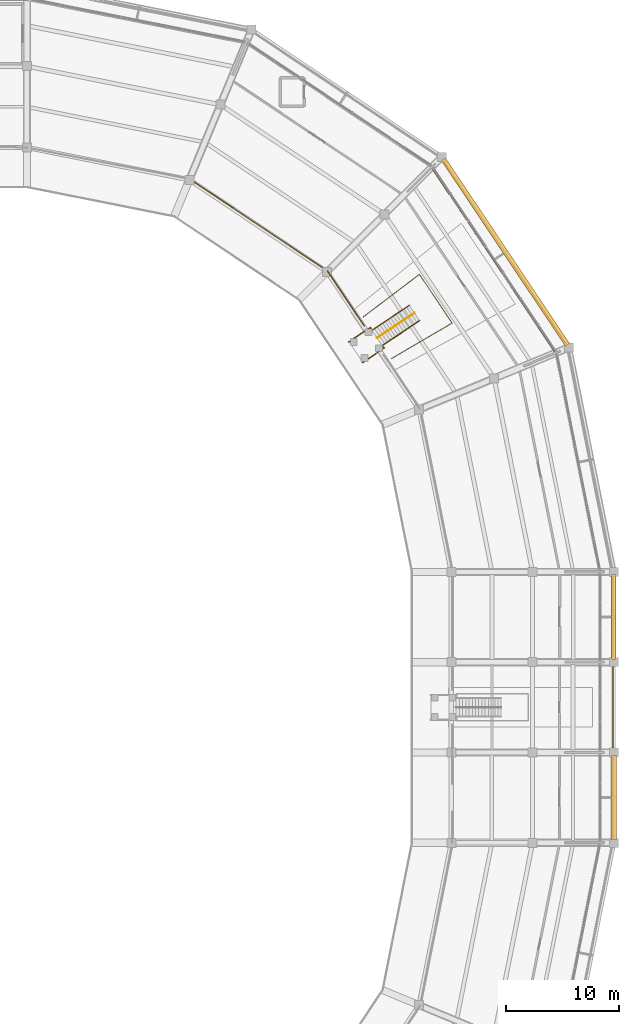
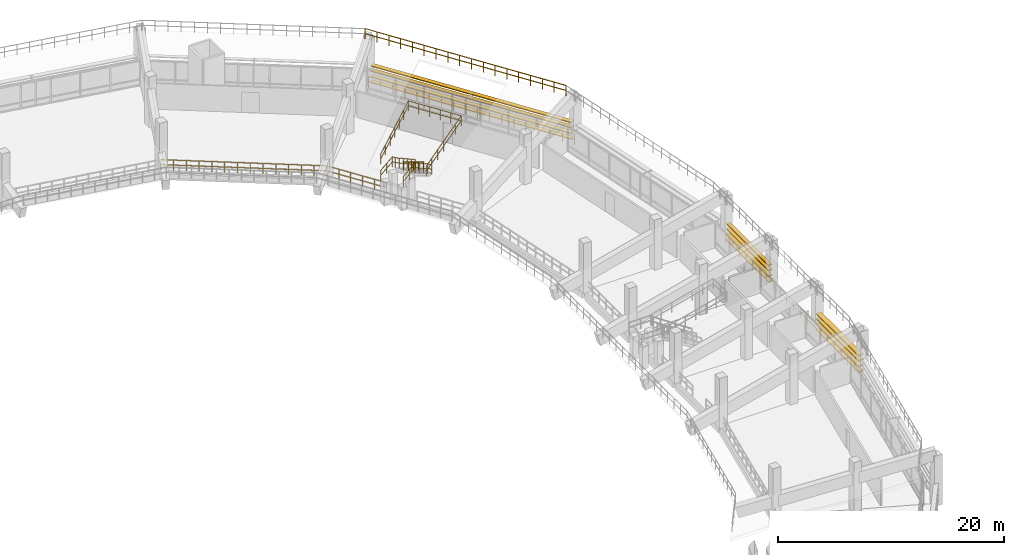
# One storey, part 92 of 96: 12 shading devices, 9 railings.
"""IFC4 building model written with IfcOpenShell, lengths in metres."""

from ifc_helpers import new_model, si_unit, direction, frame, origin, origin_2d, place, context, subcontext, project, spatial, rectangle, circle, extrude, material, layer, layer_set, type_object, element, save


model = new_model("IFC4")

# Units and contexts
model_context = context("Model", 3, precision=1e-05, world=origin(), true_north=direction((0.0, 1.0)))
body_context = subcontext(model_context, "Body", "Model", "MODEL_VIEW")
ifc_project = project(units=[si_unit("LENGTHUNIT", "METRE"), si_unit("AREAUNIT", "SQUARE_METRE"), si_unit("VOLUMEUNIT", "CUBIC_METRE"), si_unit("PLANEANGLEUNIT", "RADIAN"), si_unit("MASSUNIT", "GRAM", prefix="KILO")], contexts=[model_context])

# Site, building, storey
site_placement = place(None, origin())
site = spatial("IfcSite", under=ifc_project, at=site_placement, CompositionType="ELEMENT")
building_placement = place(site_placement, origin())
building = spatial("IfcBuilding", under=site, at=building_placement, Name="Candeia Ridge Stadium", CompositionType="ELEMENT")
storey_placement = place(building_placement, frame((0.0, 0.0, 21.60009765625)))
storey = spatial("IfcBuildingStorey", under=building, at=storey_placement, Name="L04", CompositionType="ELEMENT", Elevation=21.60009765625)

# Railings
ifc_material_1 = material(Name="Galvanized Powder-Coated Steel", Category="steel")
ifc_layer_1 = layer(ifc_material_1, 0.074951171875, Name="Galvanized Powder-Coated Steel", Category="steel")
ifc_layer_set_1 = layer_set([ifc_layer_1], Name="Galvanized Powder-Coated Steel")
railing_type_1 = type_object("IfcRailingType", Name="Spectator Bowl Front Guardrail 1120", PredefinedType="GUARDRAIL", material=ifc_layer_set_1)
railing_1_placement = place(storey_placement, frame((187.822265625, 114.394287109375, 6.0)))
element("IfcRailing", 1, at=railing_1_placement, inside=storey, type_object=railing_type_1, Name="Stand T3 rear safety guardrail bay 34", PredefinedType="GUARDRAIL", context=body_context, shape_type="SweptSolid", body=[
    extrude(circle(Radius=0.02392578125, at=origin_2d()), frame((0.0, 0.0, 1.09619140625), z_axis=(-0.555568879725, 0.831470516544, 0.0), x_axis=(-0.831470516544, -0.555568879725, 0.0)), (0.0, 0.0, 1.0), 19.7744140625),
    extrude(circle(Radius=0.02392578125, at=origin_2d()), frame((0.0, 0.0, 0.56005859375), z_axis=(-0.555568879725, 0.831470516544, 0.0), x_axis=(-0.831470516544, -0.555568879725, 0.0)), (0.0, 0.0, 1.0), 19.7744140625),
    extrude(circle(Radius=0.02099609375, at=origin_2d()), origin(), (0.0, 0.0, 1.0), 1.072021484375),
    extrude(circle(Radius=0.02099609375, at=origin_2d()), frame((-0.646240234375, 0.96728515625, 0.0)), (0.0, 0.0, 1.0), 1.072021484375),
    extrude(circle(Radius=0.02099609375, at=origin_2d()), frame((-1.29248046875, 1.934326171875, 0.0)), (0.0, 0.0, 1.0), 1.072021484375),
    extrude(circle(Radius=0.02099609375, at=origin_2d()), frame((-1.938720703125, 2.901611328125, 0.0)), (0.0, 0.0, 1.0), 1.072021484375),
    extrude(circle(Radius=0.02099609375, at=origin_2d()), frame((-2.5849609375, 3.86865234375, 0.0)), (0.0, 0.0, 1.0), 1.072021484375),
    extrude(circle(Radius=0.02099609375, at=origin_2d()), frame((-3.231201171875, 4.8359375, 0.0)), (0.0, 0.0, 1.0), 1.072021484375),
    extrude(circle(Radius=0.02099609375, at=origin_2d()), frame((-3.87744140625, 5.802978515625, 0.0)), (0.0, 0.0, 1.0), 1.072021484375),
    extrude(circle(Radius=0.02099609375, at=origin_2d()), frame((-4.523681640625, 6.770263671875, 0.0)), (0.0, 0.0, 1.0), 1.072021484375),
    extrude(circle(Radius=0.02099609375, at=origin_2d()), frame((-5.169921875, 7.7373046875, 0.0)), (0.0, 0.0, 1.0), 1.072021484375),
    extrude(circle(Radius=0.02099609375, at=origin_2d()), frame((-5.816162109375, 8.70458984375, 0.0)), (0.0, 0.0, 1.0), 1.072021484375),
    extrude(circle(Radius=0.02099609375, at=origin_2d()), frame((-6.46240234375, 9.671630859375, 0.0)), (0.0, 0.0, 1.0), 1.072021484375),
    extrude(circle(Radius=0.02099609375, at=origin_2d()), frame((-7.108642578125, 10.638916015625, 0.0)), (0.0, 0.0, 1.0), 1.072021484375),
    extrude(circle(Radius=0.02099609375, at=origin_2d()), frame((-7.7548828125, 11.60595703125, 0.0)), (0.0, 0.0, 1.0), 1.072021484375),
    extrude(circle(Radius=0.02099609375, at=origin_2d()), frame((-8.401123046875, 12.5732421875, 0.0)), (0.0, 0.0, 1.0), 1.072021484375),
    extrude(circle(Radius=0.02099609375, at=origin_2d()), frame((-9.04736328125, 13.540283203125, 0.0)), (0.0, 0.0, 1.0), 1.072021484375),
    extrude(circle(Radius=0.02099609375, at=origin_2d()), frame((-9.693603515625, 14.507568359375, 0.0)), (0.0, 0.0, 1.0), 1.072021484375),
    extrude(circle(Radius=0.02099609375, at=origin_2d()), frame((-10.33984375, 15.474609375, 0.0)), (0.0, 0.0, 1.0), 1.072021484375),
    extrude(circle(Radius=0.02099609375, at=origin_2d()), frame((-10.986083984375, 16.44189453125, 0.0)), (0.0, 0.0, 1.0), 1.072021484375),
])
railing_2_placement = place(storey_placement, frame((177.703125, 131.72509765625, 0.0)))
element("IfcRailing", 2, at=railing_2_placement, inside=storey, type_object=railing_type_1, Name="Deck edge safety guardrail GR-DE-L04-0196", PredefinedType="GUARDRAIL", context=body_context, shape_type="SweptSolid", body=[
    extrude(circle(Radius=0.02392578125, at=origin_2d()), frame((0.0, 0.0, 1.09619140625), z_axis=(0.555809332259, -0.831309801563, 0.0), x_axis=(0.831309801563, 0.555809332259, 0.0)), (0.0, 0.0, 1.0), 20.2587890625),
    extrude(circle(Radius=0.02392578125, at=origin_2d()), frame((0.0, 0.0, 0.56005859375), z_axis=(0.555809332259, -0.831309801563, 0.0), x_axis=(0.831309801563, 0.555809332259, 0.0)), (0.0, 0.0, 1.0), 20.2587890625),
    extrude(circle(Radius=0.02099609375, at=origin_2d()), origin(), (0.0, 0.0, 1.0), 1.072021484375),
    extrude(circle(Radius=0.02099609375, at=origin_2d()), frame((0.662353515625, -0.99072265625, 0.0)), (0.0, 0.0, 1.0), 1.072021484375),
    extrude(circle(Radius=0.02099609375, at=origin_2d()), frame((1.32470703125, -1.9814453125, 0.0)), (0.0, 0.0, 1.0), 1.072021484375),
    extrude(circle(Radius=0.02099609375, at=origin_2d()), frame((1.987060546875, -2.971923828125, 0.0)), (0.0, 0.0, 1.0), 1.072021484375),
    extrude(circle(Radius=0.02099609375, at=origin_2d()), frame((2.6494140625, -3.962646484375, 0.0)), (0.0, 0.0, 1.0), 1.072021484375),
    extrude(circle(Radius=0.02099609375, at=origin_2d()), frame((3.311767578125, -4.953369140625, 0.0)), (0.0, 0.0, 1.0), 1.072021484375),
    extrude(circle(Radius=0.02099609375, at=origin_2d()), frame((3.97412109375, -5.944091796875, 0.0)), (0.0, 0.0, 1.0), 1.072021484375),
    extrude(circle(Radius=0.02099609375, at=origin_2d()), frame((4.636474609375, -6.9345703125, 0.0)), (0.0, 0.0, 1.0), 1.072021484375),
    extrude(circle(Radius=0.02099609375, at=origin_2d()), frame((5.298828125, -7.92529296875, 0.0)), (0.0, 0.0, 1.0), 1.072021484375),
    extrude(circle(Radius=0.02099609375, at=origin_2d()), frame((5.961181640625, -8.916015625, 0.0)), (0.0, 0.0, 1.0), 1.072021484375),
    extrude(circle(Radius=0.02099609375, at=origin_2d()), frame((6.62353515625, -9.90673828125, 0.0)), (0.0, 0.0, 1.0), 1.072021484375),
    extrude(circle(Radius=0.02099609375, at=origin_2d()), frame((7.285888671875, -10.897216796875, 0.0)), (0.0, 0.0, 1.0), 1.072021484375),
    extrude(circle(Radius=0.02099609375, at=origin_2d()), frame((7.9482421875, -11.887939453125, 0.0)), (0.0, 0.0, 1.0), 1.072021484375),
    extrude(circle(Radius=0.02099609375, at=origin_2d()), frame((8.610595703125, -12.878662109375, 0.0)), (0.0, 0.0, 1.0), 1.072021484375),
    extrude(circle(Radius=0.02099609375, at=origin_2d()), frame((9.27294921875, -13.869384765625, 0.0)), (0.0, 0.0, 1.0), 1.072021484375),
    extrude(circle(Radius=0.02099609375, at=origin_2d()), frame((9.935302734375, -14.85986328125, 0.0)), (0.0, 0.0, 1.0), 1.072021484375),
    extrude(circle(Radius=0.02099609375, at=origin_2d()), frame((10.59765625, -15.8505859375, 0.0)), (0.0, 0.0, 1.0), 1.072021484375),
    extrude(circle(Radius=0.02099609375, at=origin_2d()), frame((11.260009765625, -16.84130859375, 0.0)), (0.0, 0.0, 1.0), 1.072021484375),
])
railing_3_placement = place(storey_placement, frame((192.919921875, 95.0, 0.0)))
element("IfcRailing", 3, at=railing_3_placement, inside=storey, type_object=railing_type_1, Name="Deck edge safety guardrail GR-DE-L04-0198", PredefinedType="GUARDRAIL", context=body_context, shape_type="SweptSolid", body=[
    extrude(circle(Radius=0.02392578125, at=origin_2d()), frame((0.0, 0.0, 1.09619140625), z_axis=(6.1074918e-05, -0.999999998135, 0.0), x_axis=(0.999999998135, 6.1074918e-05, 0.0)), (0.0, 0.0, 1.0), 23.984375),
    extrude(circle(Radius=0.02392578125, at=origin_2d()), frame((0.0, 0.0, 0.56005859375), z_axis=(6.1074918e-05, -0.999999998135, 0.0), x_axis=(0.999999998135, 6.1074918e-05, 0.0)), (0.0, 0.0, 1.0), 23.984375),
    extrude(circle(Radius=0.02099609375, at=origin_2d()), origin(), (0.0, 0.0, 1.0), 1.072021484375),
    extrude(circle(Radius=0.02099609375, at=origin_2d()), frame((0.0, -1.19921875, 0.0)), (0.0, 0.0, 1.0), 1.072021484375),
    extrude(circle(Radius=0.02099609375, at=origin_2d()), frame((0.000244140625, -2.3984375, 0.0)), (0.0, 0.0, 1.0), 1.072021484375),
    extrude(circle(Radius=0.02099609375, at=origin_2d()), frame((0.000244140625, -3.59765625, 0.0)), (0.0, 0.0, 1.0), 1.072021484375),
    extrude(circle(Radius=0.02099609375, at=origin_2d()), frame((0.000244140625, -4.796875, 0.0)), (0.0, 0.0, 1.0), 1.072021484375),
    extrude(circle(Radius=0.02099609375, at=origin_2d()), frame((0.00048828125, -5.99609375, 0.0)), (0.0, 0.0, 1.0), 1.072021484375),
    extrude(circle(Radius=0.02099609375, at=origin_2d()), frame((0.00048828125, -7.1953125, 0.0)), (0.0, 0.0, 1.0), 1.072021484375),
    extrude(circle(Radius=0.02099609375, at=origin_2d()), frame((0.00048828125, -8.39453125, 0.0)), (0.0, 0.0, 1.0), 1.072021484375),
    extrude(circle(Radius=0.02099609375, at=origin_2d()), frame((0.00048828125, -9.59375, 0.0)), (0.0, 0.0, 1.0), 1.072021484375),
    extrude(circle(Radius=0.02099609375, at=origin_2d()), frame((0.000732421875, -10.79296875, 0.0)), (0.0, 0.0, 1.0), 1.072021484375),
    extrude(circle(Radius=0.02099609375, at=origin_2d()), frame((0.000732421875, -11.9921875, 0.0)), (0.0, 0.0, 1.0), 1.072021484375),
    extrude(circle(Radius=0.02099609375, at=origin_2d()), frame((0.000732421875, -13.19140625, 0.0)), (0.0, 0.0, 1.0), 1.072021484375),
    extrude(circle(Radius=0.02099609375, at=origin_2d()), frame((0.0009765625, -14.390625, 0.0)), (0.0, 0.0, 1.0), 1.072021484375),
    extrude(circle(Radius=0.02099609375, at=origin_2d()), frame((0.0009765625, -15.58984375, 0.0)), (0.0, 0.0, 1.0), 1.072021484375),
    extrude(circle(Radius=0.02099609375, at=origin_2d()), frame((0.0009765625, -16.7890625, 0.0)), (0.0, 0.0, 1.0), 1.072021484375),
    extrude(circle(Radius=0.02099609375, at=origin_2d()), frame((0.0009765625, -17.98828125, 0.0)), (0.0, 0.0, 1.0), 1.072021484375),
    extrude(circle(Radius=0.02099609375, at=origin_2d()), frame((0.001220703125, -19.1875, 0.0)), (0.0, 0.0, 1.0), 1.072021484375),
    extrude(circle(Radius=0.02099609375, at=origin_2d()), frame((0.001220703125, -20.38671875, 0.0)), (0.0, 0.0, 1.0), 1.072021484375),
    extrude(circle(Radius=0.02099609375, at=origin_2d()), frame((0.001220703125, -21.5859375, 0.0)), (0.0, 0.0, 1.0), 1.072021484375),
    extrude(circle(Radius=0.02099609375, at=origin_2d()), frame((0.00146484375, -22.78515625, 0.0)), (0.0, 0.0, 1.0), 1.072021484375),
    extrude(circle(Radius=0.02099609375, at=origin_2d()), frame((0.00146484375, -23.984375, 0.0)), (0.0, 0.0, 1.0), 1.072021484375),
])
railing_4_placement = place(storey_placement, frame((170.884521484375, 116.79638671875, 0.0)))
element("IfcRailing", 4, at=railing_4_placement, inside=storey, type_object=railing_type_1, Name="Deck edge safety guardrail GR-DE-L04-0226", PredefinedType="GUARDRAIL", context=body_context, shape_type="SweptSolid", body=[
    extrude(circle(Radius=0.02392578125, at=origin_2d()), frame((0.0, 0.0, 1.09619140625), z_axis=(-0.55643370999, 0.830892006452, 0.0), x_axis=(-0.830892006452, -0.55643370999, 0.0)), (0.0, 0.0, 1.0), 5.845947265625),
    extrude(circle(Radius=0.02392578125, at=origin_2d()), frame((0.0, 0.0, 0.56005859375), z_axis=(-0.55643370999, 0.830892006452, 0.0), x_axis=(-0.830892006452, -0.55643370999, 0.0)), (0.0, 0.0, 1.0), 5.845947265625),
    extrude(circle(Radius=0.02099609375, at=origin_2d()), origin(), (0.0, 0.0, 1.0), 1.072021484375),
    extrude(circle(Radius=0.02099609375, at=origin_2d()), frame((-0.650634765625, 0.971435546875, 0.0)), (0.0, 0.0, 1.0), 1.072021484375),
    extrude(circle(Radius=0.02099609375, at=origin_2d()), frame((-1.30126953125, 1.94287109375, 0.0)), (0.0, 0.0, 1.0), 1.072021484375),
    extrude(circle(Radius=0.02099609375, at=origin_2d()), frame((-1.95166015625, 2.91455078125, 0.0)), (0.0, 0.0, 1.0), 1.072021484375),
    extrude(circle(Radius=0.02099609375, at=origin_2d()), frame((-2.602294921875, 3.885986328125, 0.0)), (0.0, 0.0, 1.0), 1.072021484375),
    extrude(circle(Radius=0.02099609375, at=origin_2d()), frame((-3.2529296875, 4.857421875, 0.0)), (0.0, 0.0, 1.0), 1.072021484375),
])
railing_5_placement = place(storey_placement, frame((167.631591796875, 121.65380859375, 0.0)))
element("IfcRailing", 5, at=railing_5_placement, inside=storey, type_object=railing_type_1, Name="Deck edge safety guardrail GR-DE-L04-0227", PredefinedType="GUARDRAIL", context=body_context, shape_type="SweptSolid", body=[
    extrude(circle(Radius=0.02392578125, at=origin_2d()), frame((0.0, 0.0, 1.09619140625), z_axis=(-0.831697552907, 0.55522894421, 0.0), x_axis=(-0.55522894421, -0.831697552907, 0.0)), (0.0, 0.0, 1.0), 14.701416015625),
    extrude(circle(Radius=0.02392578125, at=origin_2d()), frame((0.0, 0.0, 0.56005859375), z_axis=(-0.831697552907, 0.55522894421, 0.0), x_axis=(-0.55522894421, -0.831697552907, 0.0)), (0.0, 0.0, 1.0), 14.701416015625),
    extrude(circle(Radius=0.02099609375, at=origin_2d()), origin(), (0.0, 0.0, 1.0), 1.072021484375),
    extrude(circle(Radius=0.02099609375, at=origin_2d()), frame((-0.9404296875, 0.6279296875, 0.0)), (0.0, 0.0, 1.0), 1.072021484375),
    extrude(circle(Radius=0.02099609375, at=origin_2d()), frame((-1.881103515625, 1.255859375, 0.0)), (0.0, 0.0, 1.0), 1.072021484375),
    extrude(circle(Radius=0.02099609375, at=origin_2d()), frame((-2.821533203125, 1.8837890625, 0.0)), (0.0, 0.0, 1.0), 1.072021484375),
    extrude(circle(Radius=0.02099609375, at=origin_2d()), frame((-3.76220703125, 2.511474609375, 0.0)), (0.0, 0.0, 1.0), 1.072021484375),
    extrude(circle(Radius=0.02099609375, at=origin_2d()), frame((-4.70263671875, 3.139404296875, 0.0)), (0.0, 0.0, 1.0), 1.072021484375),
    extrude(circle(Radius=0.02099609375, at=origin_2d()), frame((-5.643310546875, 3.767333984375, 0.0)), (0.0, 0.0, 1.0), 1.072021484375),
    extrude(circle(Radius=0.02099609375, at=origin_2d()), frame((-6.583740234375, 4.395263671875, 0.0)), (0.0, 0.0, 1.0), 1.072021484375),
    extrude(circle(Radius=0.02099609375, at=origin_2d()), frame((-7.5244140625, 5.023193359375, 0.0)), (0.0, 0.0, 1.0), 1.072021484375),
    extrude(circle(Radius=0.02099609375, at=origin_2d()), frame((-8.46484375, 5.651123046875, 0.0)), (0.0, 0.0, 1.0), 1.072021484375),
    extrude(circle(Radius=0.02099609375, at=origin_2d()), frame((-9.405517578125, 6.27880859375, 0.0)), (0.0, 0.0, 1.0), 1.072021484375),
    extrude(circle(Radius=0.02099609375, at=origin_2d()), frame((-10.345947265625, 6.90673828125, 0.0)), (0.0, 0.0, 1.0), 1.072021484375),
    extrude(circle(Radius=0.02099609375, at=origin_2d()), frame((-11.28662109375, 7.53466796875, 0.0)), (0.0, 0.0, 1.0), 1.072021484375),
    extrude(circle(Radius=0.02099609375, at=origin_2d()), frame((-12.22705078125, 8.16259765625, 0.0)), (0.0, 0.0, 1.0), 1.072021484375),
])
ifc_material_2 = material(Name="Brushed Stainless Steel", Category="steel")
ifc_layer_2 = layer(ifc_material_2, 0.048095703125, Name="Brushed Stainless Steel", Category="steel")
ifc_layer_set_2 = layer_set([ifc_layer_2], Name="Brushed Stainless Steel")
railing_type_2 = type_object("IfcRailingType", Name="Stair Wall & Flight Handrail 900", PredefinedType="HANDRAIL", material=ifc_layer_set_2)
railing_6_placement = place(storey_placement, frame((175.33251953125, 117.940185546875, 0.179443359375)))
element("IfcRailing", 6, at=railing_6_placement, inside=storey, type_object=railing_type_2, Name="Vomitory stair handrail VS36", PredefinedType="HANDRAIL", context=body_context, shape_type="SweptSolid", body=[
    extrude(circle(Radius=0.02392578125, at=origin_2d()), frame((0.0, 0.0, 0.8759765625), z_axis=(-0.703445127651, -0.470033244468, 0.533135725195), x_axis=(0.555575329819, -0.831466206708, 0.0)), (0.0, 0.0, 1.0), 4.71630859375),
    extrude(circle(Radius=0.02099609375, at=origin_2d()), origin(), (0.0, 0.0, 1.0), 0.851806640625),
    extrude(circle(Radius=0.02099609375, at=origin_2d()), frame((-0.829345703125, -0.55419921875, 0.628662109375)), (0.0, 0.0, 1.0), 0.851806640625),
    extrude(circle(Radius=0.02099609375, at=origin_2d()), frame((-1.65869140625, -1.1083984375, 1.25732421875)), (0.0, 0.0, 1.0), 0.851806640625),
    extrude(circle(Radius=0.02099609375, at=origin_2d()), frame((-2.48828125, -1.66259765625, 1.8857421875)), (0.0, 0.0, 1.0), 0.851806640625),
    extrude(circle(Radius=0.02099609375, at=origin_2d()), frame((-3.317626953125, -2.216796875, 2.514404296875)), (0.0, 0.0, 1.0), 0.851806640625),
])
ifc_layer_3 = layer(ifc_material_1, 0.070068359375, Name="Galvanized Powder-Coated Steel", Category="steel")
ifc_layer_set_3 = layer_set([ifc_layer_3], Name="Galvanized Powder-Coated Steel")
railing_type_3 = type_object("IfcRailingType", Name="Vomitory Portal Guardrail 1100", PredefinedType="GUARDRAIL", material=ifc_layer_set_3)
railing_7_placement = place(storey_placement, frame((173.25146484375, 113.872802734375, 2.69384765625)))
element("IfcRailing", 7, at=railing_7_placement, inside=storey, type_object=railing_type_3, Name="Vomitory portal guardrail VS36", PredefinedType="GUARDRAIL", context=body_context, shape_type="SweptSolid", body=[
    extrude(circle(Radius=0.02392578125, at=origin_2d()), frame((0.0, 0.0, 1.076171875), z_axis=(0.834609876077, 0.488345575743, 0.254842997561), x_axis=(-0.505020105464, 0.863107579087, 0.0)), (0.0, 0.0, 1.0), 6.486572265625),
    extrude(circle(Radius=0.02392578125, at=origin_2d()), frame((0.0, 0.0, 0.550048828125), z_axis=(0.834609876077, 0.488345575743, 0.254842997561), x_axis=(-0.505020105464, 0.863107579087, 0.0)), (0.0, 0.0, 1.0), 6.486572265625),
    extrude(circle(Radius=0.02392578125, at=origin_2d()), frame((5.413818359375, 3.167724609375, 2.72900390625), z_axis=(-0.555588439996, 0.831457446502, 0.0), x_axis=(-0.831457446502, -0.555588439996, 0.0)), (0.0, 0.0, 1.0), 5.19921875),
    extrude(circle(Radius=0.02392578125, at=origin_2d()), frame((5.413818359375, 3.167724609375, 2.203125), z_axis=(-0.555588439996, 0.831457446502, 0.0), x_axis=(-0.831457446502, -0.555588439996, 0.0)), (0.0, 0.0, 1.0), 5.19921875),
    extrude(circle(Radius=0.02392578125, at=origin_2d()), frame((2.525146484375, 7.49072265625, 2.72900390625), z_axis=(-0.77057067272, -0.584185386181, -0.25484951033), x_axis=(0.604133432707, -0.796883175557, 0.0)), (0.0, 0.0, 1.0), 6.486572265625),
    extrude(circle(Radius=0.02392578125, at=origin_2d()), frame((2.525146484375, 7.49072265625, 2.203125), z_axis=(-0.77057067272, -0.584185386181, -0.25484951033), x_axis=(0.604133432707, -0.796883175557, 0.0)), (0.0, 0.0, 1.0), 6.486572265625),
    extrude(circle(Radius=0.02099609375, at=origin_2d()), origin(), (0.0, 0.0, 1.0), 1.052001953125),
    extrude(circle(Radius=0.02099609375, at=origin_2d()), frame((0.90234375, 0.52783203125, 0.275390625)), (0.0, 0.0, 1.0), 1.052001953125),
    extrude(circle(Radius=0.02099609375, at=origin_2d()), frame((1.8046875, 1.055908203125, 0.551025390625)), (0.0, 0.0, 1.0), 1.052001953125),
    extrude(circle(Radius=0.02099609375, at=origin_2d()), frame((2.70703125, 1.583984375, 0.82666015625)), (0.0, 0.0, 1.0), 1.052001953125),
    extrude(circle(Radius=0.02099609375, at=origin_2d()), frame((3.609130859375, 2.11181640625, 1.10205078125)), (0.0, 0.0, 1.0), 1.052001953125),
    extrude(circle(Radius=0.02099609375, at=origin_2d()), frame((4.511474609375, 2.6396484375, 1.37744140625)), (0.0, 0.0, 1.0), 1.052001953125),
    extrude(circle(Radius=0.02099609375, at=origin_2d()), frame((5.413818359375, 3.167724609375, 1.653076171875)), (0.0, 0.0, 1.0), 1.052001953125),
    extrude(circle(Radius=0.02099609375, at=origin_2d()), frame((4.836181640625, 4.0322265625, 1.653076171875)), (0.0, 0.0, 1.0), 1.052001953125),
    extrude(circle(Radius=0.02099609375, at=origin_2d()), frame((4.25830078125, 4.89697265625, 1.653076171875)), (0.0, 0.0, 1.0), 1.052001953125),
    extrude(circle(Radius=0.02099609375, at=origin_2d()), frame((3.6806640625, 5.761474609375, 1.653076171875)), (0.0, 0.0, 1.0), 1.052001953125),
    extrude(circle(Radius=0.02099609375, at=origin_2d()), frame((3.102783203125, 6.626220703125, 1.653076171875)), (0.0, 0.0, 1.0), 1.052001953125),
    extrude(circle(Radius=0.02099609375, at=origin_2d()), frame((2.525146484375, 7.49072265625, 1.653076171875)), (0.0, 0.0, 1.0), 1.052001953125),
    extrude(circle(Radius=0.02099609375, at=origin_2d()), frame((1.692138671875, 6.859130859375, 1.37744140625)), (0.0, 0.0, 1.0), 1.052001953125),
    extrude(circle(Radius=0.02099609375, at=origin_2d()), frame((0.859130859375, 6.2275390625, 1.10205078125)), (0.0, 0.0, 1.0), 1.052001953125),
    extrude(circle(Radius=0.02099609375, at=origin_2d()), frame((0.02587890625, 5.59619140625, 0.82666015625)), (0.0, 0.0, 1.0), 1.052001953125),
    extrude(circle(Radius=0.02099609375, at=origin_2d()), frame((-0.80712890625, 4.964599609375, 0.551025390625)), (0.0, 0.0, 1.0), 1.052001953125),
    extrude(circle(Radius=0.02099609375, at=origin_2d()), frame((-1.64013671875, 4.3330078125, 0.275390625)), (0.0, 0.0, 1.0), 1.052001953125),
    extrude(circle(Radius=0.02099609375, at=origin_2d()), frame((-2.47314453125, 3.701416015625, 0.0)), (0.0, 0.0, 1.0), 1.052001953125),
])
railing_8_placement = place(storey_placement, frame((175.7880859375, 117.25830078125, 0.0)))
element("IfcRailing", 8, at=railing_8_placement, inside=storey, type_object=railing_type_3, Name="Vomitory stair & landing side guardrail VS36-L", PredefinedType="GUARDRAIL", context=body_context, shape_type="SweptSolid", body=[
    extrude(circle(Radius=0.02392578125, at=origin_2d()), frame((0.0, 0.0, 1.076171875), z_axis=(-0.689116787819, -0.46045922683, 0.559549241062), x_axis=(0.555575329819, -0.831466206708, 0.0)), (0.0, 0.0, 1.0), 4.814208984375),
    extrude(circle(Radius=0.02392578125, at=origin_2d()), frame((0.0, 0.0, 0.550048828125), z_axis=(-0.689116787819, -0.46045922683, 0.559549241062), x_axis=(0.555575329819, -0.831466206708, 0.0)), (0.0, 0.0, 1.0), 4.814208984375),
    extrude(circle(Radius=0.02392578125, at=origin_2d()), frame((-3.317626953125, -2.216796875, 3.77001953125), z_axis=(0.667627565471, -0.744495422298, 0.0), x_axis=(0.744495422298, 0.667627565471, 0.0)), (0.0, 0.0, 1.0), 0.28271484375),
    extrude(circle(Radius=0.02392578125, at=origin_2d()), frame((-3.317626953125, -2.216796875, 3.243896484375), z_axis=(0.667627565471, -0.744495422298, 0.0), x_axis=(0.744495422298, 0.667627565471, 0.0)), (0.0, 0.0, 1.0), 0.28271484375),
    extrude(circle(Radius=0.02392578125, at=origin_2d()), frame((-3.12890625, -2.42724609375, 3.77001953125), z_axis=(-0.831434582705, -0.55562265494, 0.0), x_axis=(0.55562265494, -0.831434582705, 0.0)), (0.0, 0.0, 1.0), 2.320068359375),
    extrude(circle(Radius=0.02392578125, at=origin_2d()), frame((-3.12890625, -2.42724609375, 3.243896484375), z_axis=(-0.831434582705, -0.55562265494, 0.0), x_axis=(0.55562265494, -0.831434582705, 0.0)), (0.0, 0.0, 1.0), 2.320068359375),
    extrude(circle(Radius=0.02099609375, at=origin_2d()), origin(), (0.0, 0.0, 1.0), 1.052001953125),
    extrude(circle(Radius=0.02099609375, at=origin_2d()), frame((-0.66357421875, -0.443359375, 0.538818359375)), (0.0, 0.0, 1.0), 1.052001953125),
    extrude(circle(Radius=0.02099609375, at=origin_2d()), frame((-1.3271484375, -0.88671875, 1.07763671875)), (0.0, 0.0, 1.0), 1.052001953125),
    extrude(circle(Radius=0.02099609375, at=origin_2d()), frame((-1.990478515625, -1.330078125, 1.6162109375)), (0.0, 0.0, 1.0), 1.052001953125),
    extrude(circle(Radius=0.02099609375, at=origin_2d()), frame((-2.654052734375, -1.7734375, 2.155029296875)), (0.0, 0.0, 1.0), 1.052001953125),
    extrude(circle(Radius=0.02099609375, at=origin_2d()), frame((-3.317626953125, -2.216796875, 2.69384765625)), (0.0, 0.0, 1.0), 1.052001953125),
    extrude(circle(Radius=0.02099609375, at=origin_2d()), frame((-3.12890625, -2.42724609375, 2.69384765625)), (0.0, 0.0, 1.0), 1.052001953125),
    extrude(circle(Radius=0.02099609375, at=origin_2d()), frame((-4.09326171875, -3.07177734375, 2.69384765625)), (0.0, 0.0, 1.0), 1.052001953125),
    extrude(circle(Radius=0.02099609375, at=origin_2d()), frame((-5.057861328125, -3.71630859375, 2.69384765625)), (0.0, 0.0, 1.0), 1.052001953125),
])
railing_9_placement = place(storey_placement, frame((174.876708984375, 118.6220703125, 0.0)))
element("IfcRailing", 9, at=railing_9_placement, inside=storey, type_object=railing_type_3, Name="Vomitory stair & landing side guardrail VS36-R", PredefinedType="GUARDRAIL", context=body_context, shape_type="SweptSolid", body=[
    extrude(circle(Radius=0.02392578125, at=origin_2d()), frame((0.0, 0.0, 1.076171875), z_axis=(-0.689090156968, -0.460475318315, 0.559568795406), x_axis=(0.555603595654, -0.831447319135, 0.0)), (0.0, 0.0, 1.0), 4.814208984375),
    extrude(circle(Radius=0.02392578125, at=origin_2d()), frame((0.0, 0.0, 0.550048828125), z_axis=(-0.689090156968, -0.460475318315, 0.559568795406), x_axis=(0.555603595654, -0.831447319135, 0.0)), (0.0, 0.0, 1.0), 4.814208984375),
    extrude(circle(Radius=0.02392578125, at=origin_2d()), frame((-3.3173828125, -2.216796875, 3.77001953125), z_axis=(-0.432310233057, 0.901724937214, 0.0), x_axis=(-0.901724937214, -0.432310233057, 0.0)), (0.0, 0.0, 1.0), 0.282958984375),
    extrude(circle(Radius=0.02392578125, at=origin_2d()), frame((-3.3173828125, -2.216796875, 3.243896484375), z_axis=(-0.432310233057, 0.901724937214, 0.0), x_axis=(-0.901724937214, -0.432310233057, 0.0)), (0.0, 0.0, 1.0), 0.282958984375),
    extrude(circle(Radius=0.02392578125, at=origin_2d()), frame((-3.439697265625, -1.961669921875, 3.77001953125), z_axis=(-0.831434582705, -0.55562265494, 0.0), x_axis=(0.55562265494, -0.831434582705, 0.0)), (0.0, 0.0, 1.0), 2.320068359375),
    extrude(circle(Radius=0.02392578125, at=origin_2d()), frame((-3.439697265625, -1.961669921875, 3.243896484375), z_axis=(-0.831434582705, -0.55562265494, 0.0), x_axis=(0.55562265494, -0.831434582705, 0.0)), (0.0, 0.0, 1.0), 2.320068359375),
    extrude(circle(Radius=0.02099609375, at=origin_2d()), origin(), (0.0, 0.0, 1.0), 1.052001953125),
    extrude(circle(Radius=0.02099609375, at=origin_2d()), frame((-0.66357421875, -0.443359375, 0.538818359375)), (0.0, 0.0, 1.0), 1.052001953125),
    extrude(circle(Radius=0.02099609375, at=origin_2d()), frame((-1.326904296875, -0.88671875, 1.07763671875)), (0.0, 0.0, 1.0), 1.052001953125),
    extrude(circle(Radius=0.02099609375, at=origin_2d()), frame((-1.990478515625, -1.330078125, 1.6162109375)), (0.0, 0.0, 1.0), 1.052001953125),
    extrude(circle(Radius=0.02099609375, at=origin_2d()), frame((-2.65380859375, -1.7734375, 2.155029296875)), (0.0, 0.0, 1.0), 1.052001953125),
    extrude(circle(Radius=0.02099609375, at=origin_2d()), frame((-3.3173828125, -2.216796875, 2.69384765625)), (0.0, 0.0, 1.0), 1.052001953125),
    extrude(circle(Radius=0.02099609375, at=origin_2d()), frame((-3.439697265625, -1.961669921875, 2.69384765625)), (0.0, 0.0, 1.0), 1.052001953125),
    extrude(circle(Radius=0.02099609375, at=origin_2d()), frame((-4.404296875, -2.606201171875, 2.69384765625)), (0.0, 0.0, 1.0), 1.052001953125),
    extrude(circle(Radius=0.02099609375, at=origin_2d()), frame((-5.36865234375, -3.250732421875, 2.69384765625)), (0.0, 0.0, 1.0), 1.052001953125),
])

# Shading devices
ifc_material_3 = material(Name="Aluminium Anodized Warm Bronze", Category="aluminium")
shading_device_type_1 = type_object("IfcShadingDeviceType", Name="Weathered Bronze Horizontal Solar Rib 380x85", PredefinedType="JALOUSIE", material=ifc_material_3)
for number, where, z_axis, x_axis, name in (
    (10, (193.0, 91.0, 0.5673828125), (0.0, 0.0, 1.0), (0.0, 1.0, 0.0), "Weathered bronze horizontal solar rib L04 bay 32-1"),
    (11, (193.0, 91.0, 1.17724609375), (0.0, 0.0, 1.0), (0.0, 1.0, 0.0), "Weathered bronze horizontal solar rib L04 bay 32-2"),
    (12, (193.0, 91.0, 1.787109375), (0.0, 0.0, 1.0), (0.0, 1.0, 0.0), "Weathered bronze horizontal solar rib L04 bay 32-3"),
    (13, (193.0, 91.0, 2.341552734375), (0.0, 0.0, 1.0), (0.0, 1.0, 0.0), "Weathered bronze horizontal solar rib L04 bay 32-4"),
):
    element("IfcShadingDevice", number, at=place(storey_placement, frame(where, z_axis=z_axis, x_axis=x_axis)), inside=storey, type_object=shading_device_type_1, Name=name, PredefinedType="JALOUSIE", context=body_context, shape_type="SweptSolid", body=[
        extrude(rectangle(XDim=7.5, YDim=0.3798828125, at=origin_2d()), origin(), (0.0, 0.0, 1.0), 0.0849609375),
    ])
shading_device_type_2 = type_object("IfcShadingDeviceType", Name="Weathered Bronze Horizontal Solar Rib 440x95", PredefinedType="JALOUSIE", material=ifc_material_3)
for number, where, z_axis, x_axis, name in (
    (14, (183.40576171875, 123.33447265625, 0.5625), (0.0, 0.0, 1.0), (-0.555570211063, 0.831469626973, 0.0), "Weathered bronze horizontal solar rib L04 bay 34-1"),
    (15, (183.40576171875, 123.33447265625, 1.17236328125), (0.0, 0.0, 1.0), (-0.555570211063, 0.831469626973, 0.0), "Weathered bronze horizontal solar rib L04 bay 34-2"),
    (16, (183.40576171875, 123.33447265625, 1.7822265625), (0.0, 0.0, 1.0), (-0.555570211063, 0.831469626973, 0.0), "Weathered bronze horizontal solar rib L04 bay 34-3"),
    (17, (183.40576171875, 123.33447265625, 2.33642578125), (0.0, 0.0, 1.0), (-0.555570211063, 0.831469626973, 0.0), "Weathered bronze horizontal solar rib L04 bay 34-4"),
):
    element("IfcShadingDevice", number, at=place(storey_placement, frame(where, z_axis=z_axis, x_axis=x_axis)), inside=storey, type_object=shading_device_type_2, Name=name, PredefinedType="JALOUSIE", context=body_context, shape_type="SweptSolid", body=[
        extrude(rectangle(XDim=19.789306640625, YDim=0.43994140625, at=origin_2d()), origin(), (0.0, 0.0, 1.0), 0.094970703125),
    ])
shading_device_type_3 = type_object("IfcShadingDeviceType", Name="Weathered Bronze Horizontal Solar Rib 500x105", PredefinedType="JALOUSIE", material=ifc_material_3)
for number, where, z_axis, x_axis, name in (
    (18, (193.0, 75.0, 0.557373046875), (0.0, 0.0, 1.0), (0.0, 1.0, 0.0), "Weathered bronze horizontal solar rib L04 bay 30-1"),
    (19, (193.0, 75.0, 1.167236328125), (0.0, 0.0, 1.0), (0.0, 1.0, 0.0), "Weathered bronze horizontal solar rib L04 bay 30-2"),
    (20, (193.0, 75.0, 1.777099609375), (0.0, 0.0, 1.0), (0.0, 1.0, 0.0), "Weathered bronze horizontal solar rib L04 bay 30-3"),
    (21, (193.0, 75.0, 2.33154296875), (0.0, 0.0, 1.0), (0.0, 1.0, 0.0), "Weathered bronze horizontal solar rib L04 bay 30-4"),
):
    element("IfcShadingDevice", number, at=place(storey_placement, frame(where, z_axis=z_axis, x_axis=x_axis)), inside=storey, type_object=shading_device_type_3, Name=name, PredefinedType="JALOUSIE", context=body_context, shape_type="SweptSolid", body=[
        extrude(rectangle(XDim=7.5, YDim=0.5, at=origin_2d()), origin(), (0.0, 0.0, 1.0), 0.10498046875),
    ])

save(model, "model.ifc")
